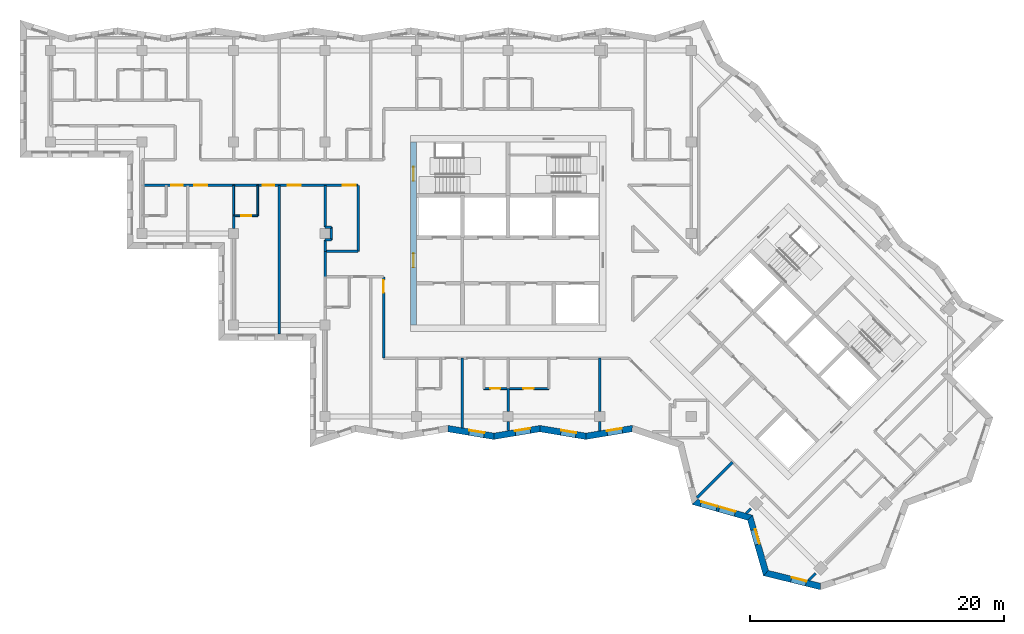
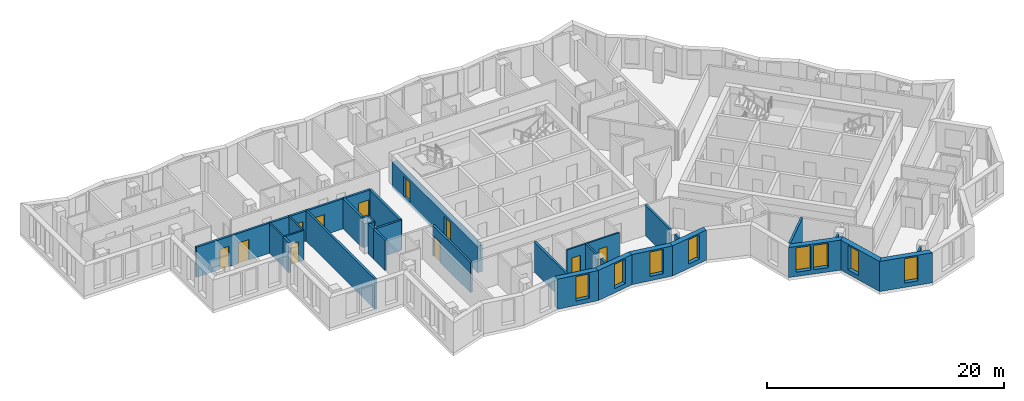
# One storey, part 3 of 13: 32 walls, 11 doors, 8 windows, 19 openings.
"""IFC4 building model written with IfcOpenShell, lengths in metres."""

import ifcopenshell
import ifcopenshell.guid

model = None  # the IFC model being written
_history = None  # IfcOwnerHistory: only IFC2X3 demands one
_inside = {}  # id of a spatial element -> (the spatial element, [elements in it])
_under = {}  # id of a project, library or spatial element -> (it, [spatial elements below it])
_declared = {}  # id of a project -> (the project, [libraries it declares])
_typed = {}  # id of a type object -> (the type object, [elements of that type])
_made_of = {}  # id of a material, layer set ... -> (it, [elements and type objects made of it])


def new_model(schema):
    """Start an empty IFC model of exactly this schema.

    Asked for "IFC4X3", IfcOpenShell would pick the latest addendum, in which some entities
    have other attributes; the version numbers below select the first issue.
    IFC2X3 requires an IfcOwnerHistory on every rooted entity: one is made here for all.
    """
    global model, _history
    if schema == "IFC4X3":
        model = ifcopenshell.file(schema_version=(4, 3, 0, 0))
    else:
        model = ifcopenshell.file(schema=schema)
    _inside.clear()
    _under.clear()
    _declared.clear()
    _typed.clear()
    _made_of.clear()
    _history = None
    if model.schema == "IFC2X3":
        org = make("IfcOrganization", Name="unknown")
        user = make(
            "IfcPersonAndOrganization",
            ThePerson=make("IfcPerson", FamilyName="unknown"),
            TheOrganization=org,
        )
        app = make(
            "IfcApplication",
            ApplicationDeveloper=org,
            Version="unknown",
            ApplicationFullName="unknown",
            ApplicationIdentifier="unknown",
        )
        _history = make(
            "IfcOwnerHistory",
            OwningUser=user,
            OwningApplication=app,
            ChangeAction="ADDED",
            CreationDate=0,
        )
    return model


def make(cls, **values):
    """One entity of the class cls with the attributes given. An attribute that is None is left unset."""
    return model.create_entity(
        cls, **{name: value for name, value in values.items() if value is not None}
    )


def rooted(cls, **values):
    """An entity with a GlobalId (a new one), such as an element, a storey or a relation."""
    return make(cls, GlobalId=ifcopenshell.guid.new(), OwnerHistory=_history, **values)


def si_unit(unit_type, name, prefix=None):
    """IfcSIUnit, for example si_unit("LENGTHUNIT", "METRE", prefix="MILLI")."""
    return make("IfcSIUnit", UnitType=unit_type, Prefix=prefix, Name=name)


def assignment(units):
    """IfcUnitAssignment: the units of a project."""
    return None if units is None else make("IfcUnitAssignment", Units=units)


def point(xyz):
    """IfcCartesianPoint."""
    return None if xyz is None else make("IfcCartesianPoint", Coordinates=xyz)


def direction(xyz):
    """IfcDirection."""
    return None if xyz is None else make("IfcDirection", DirectionRatios=xyz)


def frame(location, z_axis=None, x_axis=None):
    """IfcAxis2Placement3D, a coordinate frame: its origin and axes. An axis left out is left unset."""
    return make(
        "IfcAxis2Placement3D",
        Location=point(location),
        Axis=direction(z_axis),
        RefDirection=direction(x_axis),
    )


def frame_2d(location, x_axis=None):
    """IfcAxis2Placement2D, a coordinate frame in the plane: its origin and x axis."""
    return make(
        "IfcAxis2Placement2D", Location=point(location), RefDirection=direction(x_axis)
    )


def origin():
    """The frame at (0, 0, 0) with its axes left unset."""
    return frame((0.0, 0.0, 0.0))


def place(relative_to, where):
    """IfcLocalPlacement: puts the frame where relative to a parent placement (None: the world)."""
    return make(
        "IfcLocalPlacement", PlacementRelTo=relative_to, RelativePlacement=where
    )


def context(
    kind, dimensions, precision=None, world=None, true_north=None, identifier=None
):
    """IfcGeometricRepresentationContext, for example the 3D "Model" context."""
    return make(
        "IfcGeometricRepresentationContext",
        ContextIdentifier=identifier,
        ContextType=kind,
        CoordinateSpaceDimension=dimensions,
        Precision=precision,
        WorldCoordinateSystem=world,
        TrueNorth=true_north,
    )


def subcontext(parent, identifier, kind, view, scale=None):
    """IfcGeometricRepresentationSubContext, for example "Body" below "Model"."""
    return make(
        "IfcGeometricRepresentationSubContext",
        ContextIdentifier=identifier,
        ContextType=kind,
        ParentContext=parent,
        TargetScale=scale,
        TargetView=view,
    )


def project(units=None, contexts=None):
    """IfcProject with its units and contexts."""
    return rooted(
        "IfcProject",
        Name="project",
        RepresentationContexts=contexts,
        UnitsInContext=assignment(units),
    )


def spatial(cls, under=None, at=None, **own):
    """A site, building, storey or space (cls), placed at a placement, below another one or the project."""
    s = rooted(cls, ObjectPlacement=at, **own)
    if under is not None:
        _under.setdefault(under.id(), (under, []))[1].append(s)
    return s


def polyline(points):
    """IfcPolyline through the points."""
    return make("IfcPolyline", Points=[point(p) for p in points])


def profile(cls, at=None, kind="AREA", **sizes):
    """A parametric profile (cls). Its sizes go by their IFC names, for example OverallWidth=200.0."""
    return make(cls, ProfileType=kind, Position=at, **sizes)


def rectangle(**sizes):
    """IfcRectangleProfileDef."""
    return profile("IfcRectangleProfileDef", **sizes)


def outline(outer, holes=None, kind="AREA"):
    """IfcArbitraryClosedProfileDef: a profile drawn as a closed curve; with holes, ...WithVoids."""
    if holes is None:
        return make("IfcArbitraryClosedProfileDef", ProfileType=kind, OuterCurve=outer)
    return make(
        "IfcArbitraryProfileDefWithVoids",
        ProfileType=kind,
        OuterCurve=outer,
        InnerCurves=holes,
    )


def extrude(swept, where, along, depth):
    """IfcExtrudedAreaSolid: the profile swept, set in the frame where, extruded along a direction by depth."""
    return make(
        "IfcExtrudedAreaSolid",
        SweptArea=swept,
        Position=where,
        ExtrudedDirection=direction(along),
        Depth=depth,
    )


def shape(context_of_items, identifier, shape_type, items):
    """IfcShapeRepresentation: the items that make up one representation, for example the "Body"."""
    return make(
        "IfcShapeRepresentation",
        ContextOfItems=context_of_items,
        RepresentationIdentifier=identifier,
        RepresentationType=shape_type,
        Items=items,
    )


def material(Name=None, Category=None):
    """IfcMaterial."""
    return make("IfcMaterial", Name=Name, Category=Category)


def layer(
    of_material, thickness, ventilated=None, Name=None, Category=None, Priority=None
):
    """IfcMaterialLayer: one layer of a wall or slab, of a material (None: an air gap)."""
    return make(
        "IfcMaterialLayer",
        Material=of_material,
        LayerThickness=thickness,
        IsVentilated=ventilated,
        Name=Name,
        Category=Category,
        Priority=Priority,
    )


def layer_set(layers, Name=None):
    """IfcMaterialLayerSet."""
    return make("IfcMaterialLayerSet", MaterialLayers=layers, LayerSetName=Name)


def made_of(thing, what):
    """Note that an element or type object is made of a material, layer set ...; save() writes the relation."""
    if what is not None:
        _made_of.setdefault(what.id(), (what, []))[1].append(thing)
    return thing


def type_object(cls, material=None, **own):
    """A type object (cls), such as IfcWallType, which elements share."""
    return made_of(rooted(cls, **own), material)


def element(
    cls,
    number,
    at=None,
    inside=None,
    cuts=None,
    type_object=None,
    material=None,
    context=None,
    identifier="Body",
    shape_type=None,
    held_by="IfcProductDefinitionShape",
    body=None,
    shapes=None,
    **own,
):
    """One element of the class cls, such as IfcWall. Its Tag is "e" and its number.

    at: its placement. inside: the storey or other place that contains it. cuts: it is an
    opening in that element (IfcRelVoidsElement). A single representation is given by context,
    identifier, shape_type and body (its items); several are given by shapes. held_by: the class
    of the entity that holds the representations. save() writes the other relations.
    """
    e = rooted(cls, Tag="e%d" % number, ObjectPlacement=at, **own)
    if body is not None:
        shapes = [shape(context, identifier, shape_type, body)]
    if shapes is not None:
        e.Representation = make(held_by, Representations=shapes)
    if inside is not None:
        _inside.setdefault(inside.id(), (inside, []))[1].append(e)
    if cuts is not None:
        rooted(
            "IfcRelVoidsElement", RelatingBuildingElement=cuts, RelatedOpeningElement=e
        )
    if type_object is not None:
        _typed.setdefault(type_object.id(), (type_object, []))[1].append(e)
    return made_of(e, material)


def fill(opening, filler):
    """IfcRelFillsElement: the door or window that sits in an opening."""
    return rooted(
        "IfcRelFillsElement",
        RelatingOpeningElement=opening,
        RelatedBuildingElement=filler,
    )


def aggregate(whole, parts):
    """IfcRelAggregates: a whole, such as a stair, and the parts it consists of."""
    return rooted("IfcRelAggregates", RelatingObject=whole, RelatedObjects=parts)


def save(model, path):
    """Write the relations noted so far, then the file.

    IfcRelAggregates (storeys below a building ...), IfcRelContainedInSpatialStructure (elements
    in a storey), IfcRelDefinesByType, IfcRelAssociatesMaterial and IfcRelDeclares: one each for
    every whole, place, type object, material and project.
    """
    for whole, parts in _under.values():
        aggregate(whole, parts)
    for where, things in _inside.values():
        rooted(
            "IfcRelContainedInSpatialStructure",
            RelatedElements=things,
            RelatingStructure=where,
        )
    for kind, things in _typed.values():
        rooted("IfcRelDefinesByType", RelatedObjects=things, RelatingType=kind)
    for what, things in _made_of.values():
        rooted("IfcRelAssociatesMaterial", RelatedObjects=things, RelatingMaterial=what)
    for by, libraries in _declared.values():
        rooted("IfcRelDeclares", RelatingContext=by, RelatedDefinitions=libraries)
    model.write(path)


model = new_model("IFC4")

# Units and contexts
model_context = context("Model", 3, precision=1e-05, world=origin(), true_north=direction((0.0, 1.0)))
body_context = subcontext(model_context, "Body", "Model", "MODEL_VIEW")
ifc_project = project(units=[si_unit("LENGTHUNIT", "METRE"), si_unit("AREAUNIT", "SQUARE_METRE"), si_unit("VOLUMEUNIT", "CUBIC_METRE"), si_unit("PLANEANGLEUNIT", "RADIAN"), si_unit("MASSUNIT", "GRAM", prefix="KILO")], contexts=[model_context])

# Site, building, storey
site_placement = place(None, origin())
site = spatial("IfcSite", under=ifc_project, at=site_placement, CompositionType="ELEMENT")
building_placement = place(site_placement, origin())
building = spatial("IfcBuilding", under=site, at=building_placement, Name="Windrow Commons", CompositionType="ELEMENT")
storey_placement = place(building_placement, frame((0.0, 0.0, 223.6)))
storey = spatial("IfcBuildingStorey", under=building, at=storey_placement, Name="L61", CompositionType="ELEMENT", Elevation=223.6)

# Wall, opening, window
ifc_material_1 = material(Name="Brick masonry, red clay brick", Category="masonry")
ifc_layer_1 = layer(ifc_material_1, 0.5)
ifc_layer_set_1 = layer_set([ifc_layer_1], Name="Brick facade wall 500")
wall_type_1 = type_object("IfcWallType", Name="Brick facade wall 500", PredefinedType="SOLIDWALL", material=ifc_layer_set_1)
wall_1_placement = place(storey_placement, frame((60.0596, 42.2534, 0.0), z_axis=(0.0, 0.0, 1.0), x_axis=(0.9864079133, -0.1643150285, 0.0)))
wall_1 = element("IfcWall", 1, at=wall_1_placement, inside=storey, type_object=wall_type_1, Name="Brick facade wall L61 41", PredefinedType="SOLIDWALL", context=body_context, shape_type="SweptSolid", body=[
    extrude(outline(polyline([(0.0416, -0.25), (3.7114, -0.25), (3.6281, 0.25), (-0.0416, 0.25), (0.0416, -0.25)])), origin(), (0.0, 0.0, 1.0), 3.1),
])
opening_1_placement = place(wall_1_placement, frame((1.6921, 0.0, 0.45)))
opening_1 = element("IfcOpeningElement", 2, at=opening_1_placement, cuts=wall_1, Name="Opening W7E", PredefinedType="OPENING", context=body_context, shape_type="SweptSolid", body=[
    extrude(rectangle(XDim=1.2, YDim=2.5, at=frame_2d((0.6, 1.25))), frame((0.0, 0.26, 0.0), z_axis=(0.0, -1.0, 0.0), x_axis=(1.0, 0.0, 0.0)), (0.0, 0.0, 1.0), 0.52),
])
ifc_material_2 = material(Name="Clear float glass in anodised aluminium frame", Category="aluminium")
window_type_1 = type_object("IfcWindowType", Name="Window W7 notch 1200x2500", PartitioningType="SINGLE_PANEL", PredefinedType="WINDOW", material=ifc_material_2)
window_1_placement = place(opening_1_placement, origin())
window_1 = element("IfcWindow", 3, at=window_1_placement, inside=storey, type_object=window_type_1, Name="Window L61 41.1", OverallHeight=2.5, OverallWidth=1.2, PartitioningType="SINGLE_PANEL", PredefinedType="WINDOW", context=body_context, shape_type="SweptSolid", body=[
    extrude(rectangle(XDim=1.2, YDim=2.5, at=frame_2d((0.6, 1.25))), frame((0.0, 0.18, 0.0), z_axis=(0.0, -1.0, 0.0), x_axis=(1.0, 0.0, 0.0)), (0.0, 0.0, 1.0), 0.06),
])
fill(opening_1, window_1)

wall_2_placement = place(storey_placement, frame((63.6795, 41.6504, 0.0), z_axis=(0.0, 0.0, 1.0), x_axis=(0.9864071775, 0.1643194453, 0.0)))
wall_2 = element("IfcWall", 4, at=wall_2_placement, inside=storey, type_object=wall_type_1, Name="Brick facade wall L61 42", PredefinedType="SOLIDWALL", context=body_context, shape_type="SweptSolid", body=[
    extrude(outline(polyline([(-0.0416, -0.25), (3.6281, -0.25), (3.7114, 0.25), (0.0416, 0.25), (-0.0416, -0.25)])), origin(), (0.0, 0.0, 1.0), 3.1),
])
opening_2_placement = place(wall_2_placement, frame((1.7029, 0.0, 0.45)))
opening_2 = element("IfcOpeningElement", 5, at=opening_2_placement, cuts=wall_2, Name="Opening W7E", PredefinedType="OPENING", context=body_context, shape_type="SweptSolid", body=[
    extrude(rectangle(XDim=1.2, YDim=2.5, at=frame_2d((0.6, 1.25))), frame((0.0, 0.26, 0.0), z_axis=(0.0, -1.0, 0.0), x_axis=(1.0, 0.0, 0.0)), (0.0, 0.0, 1.0), 0.52),
])
window_2_placement = place(opening_2_placement, origin())
window_2 = element("IfcWindow", 6, at=window_2_placement, inside=storey, type_object=window_type_1, Name="Window L61 42.1", OverallHeight=2.5, OverallWidth=1.2, PartitioningType="SINGLE_PANEL", PredefinedType="WINDOW", context=body_context, shape_type="SweptSolid", body=[
    extrude(rectangle(XDim=1.2, YDim=2.5, at=frame_2d((0.6, 1.25))), frame((0.0, 0.18, 0.0), z_axis=(0.0, -1.0, 0.0), x_axis=(1.0, 0.0, 0.0)), (0.0, 0.0, 1.0), 0.06),
])
fill(opening_2, window_2)

wall_3_placement = place(storey_placement, frame((67.2993, 42.2534, 0.0), z_axis=(0.0, 0.0, 1.0), x_axis=(0.9864079133, -0.1643150285, 0.0)))
wall_3 = element("IfcWall", 7, at=wall_3_placement, inside=storey, type_object=wall_type_1, Name="Brick facade wall L61 43", PredefinedType="SOLIDWALL", context=body_context, shape_type="SweptSolid", body=[
    extrude(outline(polyline([(0.0416, -0.25), (3.7114, -0.25), (3.6281, 0.25), (-0.0416, 0.25), (0.0416, -0.25)])), origin(), (0.0, 0.0, 1.0), 3.1),
])
opening_3_placement = place(wall_3_placement, frame((1.672, 0.0, 0.45)))
opening_3 = element("IfcOpeningElement", 8, at=opening_3_placement, cuts=wall_3, Name="Opening W7E", PredefinedType="OPENING", context=body_context, shape_type="SweptSolid", body=[
    extrude(rectangle(XDim=1.2, YDim=2.5, at=frame_2d((0.6, 1.25))), frame((0.0, 0.26, 0.0), z_axis=(0.0, -1.0, 0.0), x_axis=(1.0, 0.0, 0.0)), (0.0, 0.0, 1.0), 0.52),
])
window_3_placement = place(opening_3_placement, origin())
window_3 = element("IfcWindow", 9, at=window_3_placement, inside=storey, type_object=window_type_1, Name="Window L61 43.1", OverallHeight=2.5, OverallWidth=1.2, PartitioningType="SINGLE_PANEL", PredefinedType="WINDOW", context=body_context, shape_type="SweptSolid", body=[
    extrude(rectangle(XDim=1.2, YDim=2.5, at=frame_2d((0.6, 1.25))), frame((0.0, 0.18, 0.0), z_axis=(0.0, -1.0, 0.0), x_axis=(1.0, 0.0, 0.0)), (0.0, 0.0, 1.0), 0.06),
])
fill(opening_3, window_3)

wall_4_placement = place(storey_placement, frame((70.9192, 41.6504, 0.0), z_axis=(0.0, 0.0, 1.0), x_axis=(0.986404908, 0.1643330686, 0.0)))
wall_4 = element("IfcWall", 10, at=wall_4_placement, inside=storey, type_object=wall_type_1, Name="Brick facade wall L61 44", PredefinedType="SOLIDWALL", context=body_context, shape_type="SweptSolid", body=[
    extrude(outline(polyline([(-0.0416, -0.25), (3.6281, -0.25), (3.752, 0.25), (0.0416, 0.25), (-0.0416, -0.25)])), origin(), (0.0, 0.0, 1.0), 3.1),
])
opening_4_placement = place(wall_4_placement, frame((1.6929, 0.0, 0.45)))
opening_4 = element("IfcOpeningElement", 11, at=opening_4_placement, cuts=wall_4, Name="Opening W7E", PredefinedType="OPENING", context=body_context, shape_type="SweptSolid", body=[
    extrude(rectangle(XDim=1.2, YDim=2.5, at=frame_2d((0.6, 1.25))), frame((0.0, 0.26, 0.0), z_axis=(0.0, -1.0, 0.0), x_axis=(1.0, 0.0, 0.0)), (0.0, 0.0, 1.0), 0.52),
])
window_4_placement = place(opening_4_placement, origin())
window_4 = element("IfcWindow", 12, at=window_4_placement, inside=storey, type_object=window_type_1, Name="Window L61 44.1", OverallHeight=2.5, OverallWidth=1.2, PartitioningType="SINGLE_PANEL", PredefinedType="WINDOW", context=body_context, shape_type="SweptSolid", body=[
    extrude(rectangle(XDim=1.2, YDim=2.5, at=frame_2d((0.6, 1.25))), frame((0.0, 0.18, 0.0), z_axis=(0.0, -1.0, 0.0), x_axis=(1.0, 0.0, 0.0)), (0.0, 0.0, 1.0), 0.06),
])
fill(opening_4, window_4)

# Wall, openings, windows
wall_5_placement = place(storey_placement, frame((79.4758, 36.4945, 0.0), z_axis=(0.0, 0.0, 1.0), x_axis=(0.9612862254, -0.2755517971, 0.0)))
wall_5 = element("IfcWall", 13, at=wall_5_placement, inside=storey, type_object=wall_type_1, Name="Brick facade wall L61 47", PredefinedType="SOLIDWALL", context=body_context, shape_type="SweptSolid", body=[
    extrude(outline(polyline([(-0.1448, -0.25), (4.3923, -0.25), (4.6695, 0.25), (0.1448, 0.25), (-0.1448, -0.25)])), origin(), (0.0, 0.0, 1.0), 3.1),
])
opening_5_placement = place(wall_5_placement, frame((0.5015, 0.0, 0.45)))
opening_5 = element("IfcOpeningElement", 14, at=opening_5_placement, cuts=wall_5, Name="Opening W1Q", PredefinedType="OPENING", context=body_context, shape_type="SweptSolid", body=[
    extrude(rectangle(XDim=1.3, YDim=2.5, at=frame_2d((0.65, 1.25))), frame((0.0, 0.26, 0.0), z_axis=(0.0, -1.0, 0.0), x_axis=(1.0, 0.0, 0.0)), (0.0, 0.0, 1.0), 0.52),
])
opening_6_placement = place(wall_5_placement, frame((2.0015, 0.0, 0.45)))
opening_6 = element("IfcOpeningElement", 15, at=opening_6_placement, cuts=wall_5, Name="Opening W1Q", PredefinedType="OPENING", context=body_context, shape_type="SweptSolid", body=[
    extrude(rectangle(XDim=1.3, YDim=2.5, at=frame_2d((0.65, 1.25))), frame((0.0, 0.26, 0.0), z_axis=(0.0, -1.0, 0.0), x_axis=(1.0, 0.0, 0.0)), (0.0, 0.0, 1.0), 0.52),
])
ifc_material_3 = material(Name="Clear float glass in anodised aluminium frame", Category="aluminium")
window_type_2 = type_object("IfcWindowType", Name="Window W1Q pair 1300x2500", PartitioningType="SINGLE_PANEL", PredefinedType="WINDOW", material=ifc_material_3)
window_5_placement = place(opening_5_placement, origin())
window_5 = element("IfcWindow", 16, at=window_5_placement, inside=storey, type_object=window_type_2, Name="Window L61 47.1A", OverallHeight=2.5, OverallWidth=1.3, PartitioningType="SINGLE_PANEL", PredefinedType="WINDOW", context=body_context, shape_type="SweptSolid", body=[
    extrude(rectangle(XDim=1.3, YDim=2.5, at=frame_2d((0.65, 1.25))), frame((0.0, 0.18, 0.0), z_axis=(0.0, -1.0, 0.0), x_axis=(1.0, 0.0, 0.0)), (0.0, 0.0, 1.0), 0.06),
])
fill(opening_5, window_5)
window_6_placement = place(opening_6_placement, origin())
window_6 = element("IfcWindow", 17, at=window_6_placement, inside=storey, type_object=window_type_2, Name="Window L61 47.1B", OverallHeight=2.5, OverallWidth=1.3, PartitioningType="SINGLE_PANEL", PredefinedType="WINDOW", context=body_context, shape_type="SweptSolid", body=[
    extrude(rectangle(XDim=1.3, YDim=2.5, at=frame_2d((0.65, 1.25))), frame((0.0, 0.18, 0.0), z_axis=(0.0, -1.0, 0.0), x_axis=(1.0, 0.0, 0.0)), (0.0, 0.0, 1.0), 0.06),
])
fill(opening_6, window_6)

# Wall, opening, window
wall_6_placement = place(storey_placement, frame((83.8313, 35.246, 0.0), z_axis=(0.0, 0.0, 1.0), x_axis=(0.2755517971, -0.9612862254, 0.0)))
wall_6 = element("IfcWall", 18, at=wall_6_placement, inside=storey, type_object=wall_type_1, Name="Brick facade wall L61 48", PredefinedType="SOLIDWALL", context=body_context, shape_type="SweptSolid", body=[
    extrude(outline(polyline([(0.1386, -0.25), (4.6757, -0.25), (4.3861, 0.25), (-0.1386, 0.25), (0.1386, -0.25)])), origin(), (0.0, 0.0, 1.0), 3.1),
])
opening_7_placement = place(wall_6_placement, frame((0.9803, 0.0, 0.45)))
opening_7 = element("IfcOpeningElement", 19, at=opening_7_placement, cuts=wall_6, Name="Opening W7E", PredefinedType="OPENING", context=body_context, shape_type="SweptSolid", body=[
    extrude(rectangle(XDim=1.2, YDim=2.5, at=frame_2d((0.6, 1.25))), frame((0.0, 0.26, 0.0), z_axis=(0.0, -1.0, 0.0), x_axis=(1.0, 0.0, 0.0)), (0.0, 0.0, 1.0), 0.52),
])
window_7_placement = place(opening_7_placement, origin())
window_7 = element("IfcWindow", 20, at=window_7_placement, inside=storey, type_object=window_type_1, Name="Window L61 48.1", OverallHeight=2.5, OverallWidth=1.2, PartitioningType="SINGLE_PANEL", PredefinedType="WINDOW", context=body_context, shape_type="SweptSolid", body=[
    extrude(rectangle(XDim=1.2, YDim=2.5, at=frame_2d((0.6, 1.25))), frame((0.0, 0.18, 0.0), z_axis=(0.0, -1.0, 0.0), x_axis=(1.0, 0.0, 0.0)), (0.0, 0.0, 1.0), 0.06),
])
fill(opening_7, window_7)

wall_7_placement = place(storey_placement, frame((85.0798, 30.8905, 0.0), z_axis=(0.0, 0.0, 1.0), x_axis=(0.9709947618, -0.2391007581, 0.0)))
wall_7 = element("IfcWall", 21, at=wall_7_placement, inside=storey, type_object=wall_type_1, Name="Brick facade wall L61 49", PredefinedType="SOLIDWALL", context=body_context, shape_type="SweptSolid", body=[
    extrude(outline(polyline([(-0.1448, -0.25), (4.4926, -0.25), (4.3479, 0.25), (0.1448, 0.25), (-0.1448, -0.25)])), origin(), (0.0, 0.0, 1.0), 3.1),
])
opening_8_placement = place(wall_7_placement, frame((2.0538, 0.0, 0.45)))
opening_8 = element("IfcOpeningElement", 22, at=opening_8_placement, cuts=wall_7, Name="Opening W7E", PredefinedType="OPENING", context=body_context, shape_type="SweptSolid", body=[
    extrude(rectangle(XDim=1.2, YDim=2.5, at=frame_2d((0.6, 1.25))), frame((0.0, 0.26, 0.0), z_axis=(0.0, -1.0, 0.0), x_axis=(1.0, 0.0, 0.0)), (0.0, 0.0, 1.0), 0.52),
])
window_8_placement = place(opening_8_placement, origin())
window_8 = element("IfcWindow", 23, at=window_8_placement, inside=storey, type_object=window_type_1, Name="Window L61 49.1", OverallHeight=2.5, OverallWidth=1.2, PartitioningType="SINGLE_PANEL", PredefinedType="WINDOW", context=body_context, shape_type="SweptSolid", body=[
    extrude(rectangle(XDim=1.2, YDim=2.5, at=frame_2d((0.6, 1.25))), frame((0.0, 0.18, 0.0), z_axis=(0.0, -1.0, 0.0), x_axis=(1.0, 0.0, 0.0)), (0.0, 0.0, 1.0), 0.06),
])
fill(opening_8, window_8)

# Wall, openings, doors
ifc_material_4 = material(Name="Blockwork partition", Category="masonry")
ifc_layer_2 = layer(ifc_material_4, 0.2)
ifc_layer_set_2 = layer_set([ifc_layer_2], Name="IW-CORRIDOR-200")
wall_type_2 = type_object("IfcWallType", Name="IW-CORRIDOR-200", PredefinedType="PARTITIONING", material=ifc_layer_set_2)
wall_8_placement = place(storey_placement, frame((36.0, 61.4, 0.0), z_axis=(0.0, 0.0, 1.0), x_axis=(1.0, 0.0, 0.0)))
wall_8 = element("IfcWall", 24, at=wall_8_placement, inside=storey, type_object=wall_type_2, Name="W-L61-W002", PredefinedType="PARTITIONING", context=body_context, shape_type="SweptSolid", body=[
    extrude(rectangle(XDim=17.0, YDim=0.2, at=frame_2d((8.5, 0.0))), origin(), (0.0, 0.0, 1.0), 3.1),
])
opening_9_placement = place(wall_8_placement, frame((2.3, 0.0, 0.0)))
opening_9 = element("IfcOpeningElement", 25, at=opening_9_placement, cuts=wall_8, Name="Opening D109S", PredefinedType="OPENING", context=body_context, shape_type="SweptSolid", body=[
    extrude(rectangle(XDim=0.9, YDim=2.1, at=frame_2d((0.45, 1.05))), frame((0.0, 0.11, 0.0), z_axis=(0.0, -1.0, 0.0), x_axis=(1.0, 0.0, 0.0)), (0.0, 0.0, 1.0), 0.22),
])
opening_10_placement = place(wall_8_placement, frame((4.125, 0.0, 0.0)))
opening_10 = element("IfcOpeningElement", 26, at=opening_10_placement, cuts=wall_8, Name="Opening D310F", PredefinedType="OPENING", context=body_context, shape_type="SweptSolid", body=[
    extrude(rectangle(XDim=1.0, YDim=2.1, at=frame_2d((0.5, 1.05))), frame((0.0, 0.11, 0.0), z_axis=(0.0, -1.0, 0.0), x_axis=(1.0, 0.0, 0.0)), (0.0, 0.0, 1.0), 0.22),
])
opening_11_placement = place(wall_8_placement, frame((9.5, 0.0, 0.0)))
opening_11 = element("IfcOpeningElement", 27, at=opening_11_placement, cuts=wall_8, Name="Opening D109S", PredefinedType="OPENING", context=body_context, shape_type="SweptSolid", body=[
    extrude(rectangle(XDim=0.9, YDim=2.1, at=frame_2d((0.45, 1.05))), frame((0.0, 0.11, 0.0), z_axis=(0.0, -1.0, 0.0), x_axis=(1.0, 0.0, 0.0)), (0.0, 0.0, 1.0), 0.22),
])
opening_12_placement = place(wall_8_placement, frame((11.48, 0.0, 0.0)))
opening_12 = element("IfcOpeningElement", 28, at=opening_12_placement, cuts=wall_8, Name="Opening D310F", PredefinedType="OPENING", context=body_context, shape_type="SweptSolid", body=[
    extrude(rectangle(XDim=1.0, YDim=2.1, at=frame_2d((0.5, 1.05))), frame((0.0, 0.11, 0.0), z_axis=(0.0, -1.0, 0.0), x_axis=(1.0, 0.0, 0.0)), (0.0, 0.0, 1.0), 0.22),
])
opening_13_placement = place(wall_8_placement, frame((15.805, 0.0, 0.0)))
opening_13 = element("IfcOpeningElement", 29, at=opening_13_placement, cuts=wall_8, Name="Opening D410F", PredefinedType="OPENING", context=body_context, shape_type="SweptSolid", body=[
    extrude(rectangle(XDim=1.0, YDim=2.1, at=frame_2d((0.5, 1.05))), frame((0.0, 0.11, 0.0), z_axis=(0.0, -1.0, 0.0), x_axis=(1.0, 0.0, 0.0)), (0.0, 0.0, 1.0), 0.22),
])
ifc_material_5 = material(Name="Timber door leaf", Category="wood")
door_type_1 = type_object("IfcDoorType", Name="DT-AMENITY-1000", OperationType="SINGLE_SWING_LEFT", PredefinedType="DOOR", material=ifc_material_5)
door_1_placement = place(opening_10_placement, origin())
door_1 = element("IfcDoor", 30, at=door_1_placement, inside=storey, type_object=door_type_1, Name="D-L61-D011", OperationType="SINGLE_SWING_RIGHT", OverallHeight=2.1, OverallWidth=1.0, PredefinedType="DOOR", context=body_context, shape_type="SweptSolid", body=[
    extrude(rectangle(XDim=1.0, YDim=2.1, at=frame_2d((0.5, 1.05))), frame((0.0, 0.025, 0.0), z_axis=(0.0, -1.0, 0.0), x_axis=(1.0, 0.0, 0.0)), (0.0, 0.0, 1.0), 0.05),
])
fill(opening_10, door_1)
door_2_placement = place(opening_12_placement, origin())
door_2 = element("IfcDoor", 31, at=door_2_placement, inside=storey, type_object=door_type_1, Name="D-L61-D025", OperationType="SINGLE_SWING_RIGHT", OverallHeight=2.1, OverallWidth=1.0, PredefinedType="DOOR", context=body_context, shape_type="SweptSolid", body=[
    extrude(rectangle(XDim=1.0, YDim=2.1, at=frame_2d((0.5, 1.05))), frame((0.0, 0.025, 0.0), z_axis=(0.0, -1.0, 0.0), x_axis=(1.0, 0.0, 0.0)), (0.0, 0.0, 1.0), 0.05),
])
fill(opening_12, door_2)
ifc_material_6 = material(Name="Timber door leaf", Category="wood")
door_type_2 = type_object("IfcDoorType", Name="DT-BEDROOM-900", OperationType="SINGLE_SWING_LEFT", PredefinedType="DOOR", material=ifc_material_6)
door_3_placement = place(opening_9_placement, origin())
door_3 = element("IfcDoor", 32, at=door_3_placement, inside=storey, type_object=door_type_2, Name="D-L61-D009", OperationType="SINGLE_SWING_LEFT", OverallHeight=2.1, OverallWidth=0.9, PredefinedType="DOOR", context=body_context, shape_type="SweptSolid", body=[
    extrude(rectangle(XDim=0.9, YDim=2.1, at=frame_2d((0.45, 1.05))), frame((0.0, 0.025, 0.0), z_axis=(0.0, -1.0, 0.0), x_axis=(1.0, 0.0, 0.0)), (0.0, 0.0, 1.0), 0.05),
])
fill(opening_9, door_3)
door_4_placement = place(opening_11_placement, origin())
door_4 = element("IfcDoor", 33, at=door_4_placement, inside=storey, type_object=door_type_2, Name="D-L61-D012", OperationType="SINGLE_SWING_LEFT", OverallHeight=2.1, OverallWidth=0.9, PredefinedType="DOOR", context=body_context, shape_type="SweptSolid", body=[
    extrude(rectangle(XDim=0.9, YDim=2.1, at=frame_2d((0.45, 1.05))), frame((0.0, 0.025, 0.0), z_axis=(0.0, -1.0, 0.0), x_axis=(1.0, 0.0, 0.0)), (0.0, 0.0, 1.0), 0.05),
])
fill(opening_11, door_4)
ifc_material_7 = material(Name="Timber door leaf", Category="wood")
door_type_3 = type_object("IfcDoorType", Name="DT-SERVICE-1000", OperationType="SINGLE_SWING_LEFT", PredefinedType="DOOR", material=ifc_material_7)
door_5_placement = place(opening_13_placement, origin())
door_5 = element("IfcDoor", 34, at=door_5_placement, inside=storey, type_object=door_type_3, Name="D-L61-D029", OperationType="SINGLE_SWING_LEFT", OverallHeight=2.1, OverallWidth=1.0, PredefinedType="DOOR", context=body_context, shape_type="SweptSolid", body=[
    extrude(rectangle(XDim=1.0, YDim=2.1, at=frame_2d((0.5, 1.05))), frame((0.0, 0.025, 0.0), z_axis=(0.0, -1.0, 0.0), x_axis=(1.0, 0.0, 0.0)), (0.0, 0.0, 1.0), 0.05),
])
fill(opening_13, door_5)

# Wall, opening, door
wall_9_placement = place(storey_placement, frame((55.0, 47.8, 0.0), z_axis=(0.0, 0.0, 1.0), x_axis=(0.0, 1.0, 0.0)))
wall_9 = element("IfcWall", 35, at=wall_9_placement, inside=storey, type_object=wall_type_2, Name="W-L61-W020", PredefinedType="PARTITIONING", context=body_context, shape_type="SweptSolid", body=[
    extrude(rectangle(XDim=6.4, YDim=0.2, at=frame_2d((3.2, 0.0))), origin(), (0.0, 0.0, 1.0), 3.1),
])
opening_14_placement = place(wall_9_placement, frame((5.1475, 0.0, 0.0)))
opening_14 = element("IfcOpeningElement", 36, at=opening_14_placement, cuts=wall_9, Name="Opening D310F", PredefinedType="OPENING", context=body_context, shape_type="SweptSolid", body=[
    extrude(rectangle(XDim=1.0, YDim=2.1, at=frame_2d((0.5, 1.05))), frame((0.0, 0.11, 0.0), z_axis=(0.0, -1.0, 0.0), x_axis=(1.0, 0.0, 0.0)), (0.0, 0.0, 1.0), 0.22),
])
door_6_placement = place(opening_14_placement, origin())
door_6 = element("IfcDoor", 37, at=door_6_placement, inside=storey, type_object=door_type_1, Name="D-L61-D028", OperationType="SINGLE_SWING_RIGHT", OverallHeight=2.1, OverallWidth=1.0, PredefinedType="DOOR", context=body_context, shape_type="SweptSolid", body=[
    extrude(rectangle(XDim=1.0, YDim=2.1, at=frame_2d((0.5, 1.05))), frame((0.0, 0.025, 0.0), z_axis=(0.0, -1.0, 0.0), x_axis=(1.0, 0.0, 0.0)), (0.0, 0.0, 1.0), 0.05),
])
fill(opening_14, door_6)

# Walls
wall_10_placement = place(storey_placement, frame((53.0, 56.202, 0.0), z_axis=(0.0, 0.0, 1.0), x_axis=(0.0, 1.0, 0.0)))
element("IfcWall", 38, at=wall_10_placement, inside=storey, type_object=wall_type_2, Name="W-L61-W029", PredefinedType="PARTITIONING", context=body_context, shape_type="SweptSolid", body=[
    extrude(rectangle(XDim=5.198, YDim=0.2, at=frame_2d((2.599, 0.0))), origin(), (0.0, 0.0, 1.0), 3.1),
])
wall_11_placement = place(storey_placement, frame((50.4, 56.2, 0.0), z_axis=(0.0, 0.0, 1.0), x_axis=(1.0, 0.0, 0.0)))
element("IfcWall", 39, at=wall_11_placement, inside=storey, type_object=wall_type_2, Name="W-L61-W066", PredefinedType="PARTITIONING", context=body_context, shape_type="SweptSolid", body=[
    extrude(rectangle(XDim=2.6, YDim=0.2, at=frame_2d((1.3, 0.0))), origin(), (0.0, 0.0, 1.0), 3.1),
])
wall_12_placement = place(storey_placement, frame((50.4, 54.2, 0.0), z_axis=(0.0, 0.0, 1.0), x_axis=(0.0, 1.0, 0.0)))
element("IfcWall", 40, at=wall_12_placement, inside=storey, type_object=wall_type_2, Name="W-L61-W108", PredefinedType="PARTITIONING", context=body_context, shape_type="SweptSolid", body=[
    extrude(rectangle(XDim=2.0, YDim=0.2, at=frame_2d((1.0, 0.0))), origin(), (0.0, 0.0, 1.0), 3.1),
])

# Wall, openings, doors
ifc_material_8 = material(Name="Blockwork partition", Category="masonry")
ifc_layer_3 = layer(ifc_material_8, 0.15)
ifc_layer_set_3 = layer_set([ifc_layer_3], Name="IW-ENSUITE-150")
wall_type_3 = type_object("IfcWallType", Name="IW-ENSUITE-150", PredefinedType="PARTITIONING", material=ifc_layer_set_3)
wall_13_placement = place(storey_placement, frame((62.9, 45.4, 0.0), z_axis=(0.0, 0.0, 1.0), x_axis=(1.0, 0.0, 0.0)))
wall_13 = element("IfcWall", 41, at=wall_13_placement, inside=storey, type_object=wall_type_3, Name="W-L61-W030", PredefinedType="PARTITIONING", context=body_context, shape_type="SweptSolid", body=[
    extrude(rectangle(XDim=5.1, YDim=0.15, at=frame_2d((2.55, 0.0))), origin(), (0.0, 0.0, 1.0), 3.1),
])
opening_15_placement = place(wall_13_placement, frame((0.4931, 0.0, 0.0)))
opening_15 = element("IfcOpeningElement", 42, at=opening_15_placement, cuts=wall_13, Name="Opening D208N", PredefinedType="OPENING", context=body_context, shape_type="SweptSolid", body=[
    extrude(rectangle(XDim=0.8, YDim=2.1, at=frame_2d((0.4, 1.05))), frame((0.0, 0.085, 0.0), z_axis=(0.0, -1.0, 0.0), x_axis=(1.0, 0.0, 0.0)), (0.0, 0.0, 1.0), 0.17),
])
opening_16_placement = place(wall_13_placement, frame((3.0958, 0.0, 0.0)))
opening_16 = element("IfcOpeningElement", 43, at=opening_16_placement, cuts=wall_13, Name="Opening D208N", PredefinedType="OPENING", context=body_context, shape_type="SweptSolid", body=[
    extrude(rectangle(XDim=0.8, YDim=2.1, at=frame_2d((0.4, 1.05))), frame((0.0, 0.085, 0.0), z_axis=(0.0, -1.0, 0.0), x_axis=(1.0, 0.0, 0.0)), (0.0, 0.0, 1.0), 0.17),
])
ifc_material_9 = material(Name="Timber door leaf", Category="wood")
door_type_4 = type_object("IfcDoorType", Name="DT-ENSUITE-800", OperationType="SINGLE_SWING_LEFT", PredefinedType="DOOR", material=ifc_material_9)
door_7_placement = place(opening_15_placement, origin())
door_7 = element("IfcDoor", 44, at=door_7_placement, inside=storey, type_object=door_type_4, Name="D-L61-D033", OperationType="SINGLE_SWING_RIGHT", OverallHeight=2.1, OverallWidth=0.8, PredefinedType="DOOR", context=body_context, shape_type="SweptSolid", body=[
    extrude(rectangle(XDim=0.8, YDim=2.1, at=frame_2d((0.4, 1.05))), frame((0.0, 0.025, 0.0), z_axis=(0.0, -1.0, 0.0), x_axis=(1.0, 0.0, 0.0)), (0.0, 0.0, 1.0), 0.05),
])
fill(opening_15, door_7)
door_8_placement = place(opening_16_placement, origin())
door_8 = element("IfcDoor", 45, at=door_8_placement, inside=storey, type_object=door_type_4, Name="D-L61-D035", OperationType="SINGLE_SWING_RIGHT", OverallHeight=2.1, OverallWidth=0.8, PredefinedType="DOOR", context=body_context, shape_type="SweptSolid", body=[
    extrude(rectangle(XDim=0.8, YDim=2.1, at=frame_2d((0.4, 1.05))), frame((0.0, 0.025, 0.0), z_axis=(0.0, -1.0, 0.0), x_axis=(1.0, 0.0, 0.0)), (0.0, 0.0, 1.0), 0.05),
])
fill(opening_16, door_8)

# Walls
for number, where, z_axis, x_axis, name in (
    (46, (45.1, 59.0, 0.0), (0.0, 0.0, 1.0), (0.0, 1.0, 0.0), "W-L61-W082"),
    (47, (43.2, 59.0, 0.0), (0.0, 0.0, 1.0), (0.0, 1.0, 0.0), "W-L61-W083"),
):
    element("IfcWall", number, at=place(storey_placement, frame(where, z_axis=z_axis, x_axis=x_axis)), inside=storey, type_object=wall_type_3, Name=name, PredefinedType="PARTITIONING", context=body_context, shape_type="SweptSolid", body=[
        extrude(rectangle(XDim=2.4, YDim=0.15, at=frame_2d((1.2, 0.0))), origin(), (0.0, 0.0, 1.0), 3.1),
    ])

# Wall, opening, door
wall_14_placement = place(storey_placement, frame((43.2, 59.0, 0.0), z_axis=(0.0, 0.0, 1.0), x_axis=(1.0, 0.0, 0.0)))
wall_14 = element("IfcWall", 48, at=wall_14_placement, inside=storey, type_object=wall_type_3, Name="W-L61-W118", PredefinedType="PARTITIONING", context=body_context, shape_type="SweptSolid", body=[
    extrude(rectangle(XDim=1.9, YDim=0.15, at=frame_2d((0.95, 0.0))), origin(), (0.0, 0.0, 1.0), 3.1),
])
opening_17_placement = place(wall_14_placement, frame((0.6069, 0.0, 0.0)))
opening_17 = element("IfcOpeningElement", 49, at=opening_17_placement, cuts=wall_14, Name="Opening D208N", PredefinedType="OPENING", context=body_context, shape_type="SweptSolid", body=[
    extrude(rectangle(XDim=0.8, YDim=2.1, at=frame_2d((0.4, 1.05))), frame((0.0, 0.085, 0.0), z_axis=(0.0, -1.0, 0.0), x_axis=(1.0, 0.0, 0.0)), (0.0, 0.0, 1.0), 0.17),
])
door_9_placement = place(opening_17_placement, origin())
door_9 = element("IfcDoor", 50, at=door_9_placement, inside=storey, type_object=door_type_4, Name="D-L61-D013", OperationType="SINGLE_SWING_RIGHT", OverallHeight=2.1, OverallWidth=0.8, PredefinedType="DOOR", context=body_context, shape_type="SweptSolid", body=[
    extrude(rectangle(XDim=0.8, YDim=2.1, at=frame_2d((0.4, 1.05))), frame((0.0, 0.025, 0.0), z_axis=(0.0, -1.0, 0.0), x_axis=(1.0, 0.0, 0.0)), (0.0, 0.0, 1.0), 0.05),
])
fill(opening_17, door_9)

# Walls
ifc_material_10 = material(Name="Blockwork partition", Category="masonry")
ifc_layer_4 = layer(ifc_material_10, 0.2)
ifc_layer_set_4 = layer_set([ifc_layer_4], Name="IW-PARTY-200")
wall_type_4 = type_object("IfcWallType", Name="IW-PARTY-200", PredefinedType="PARTITIONING", material=ifc_layer_set_4)
wall_15_placement = place(storey_placement, frame((46.8, 49.7, 0.0), z_axis=(0.0, 0.0, 1.0), x_axis=(0.0, 1.0, 0.0)))
element("IfcWall", 51, at=wall_15_placement, inside=storey, type_object=wall_type_4, Name="W-L61-W006", PredefinedType="PARTITIONING", context=body_context, shape_type="SweptSolid", body=[
    extrude(rectangle(XDim=11.7, YDim=0.2, at=frame_2d((5.85, 0.0))), origin(), (0.0, 0.0, 1.0), 3.1),
])
wall_16_placement = place(storey_placement, frame((61.2, 42.3169, 0.0), z_axis=(0.0, 0.0, 1.0), x_axis=(0.0, 1.0, 0.0)))
element("IfcWall", 52, at=wall_16_placement, inside=storey, type_object=wall_type_4, Name="W-L61-W027", PredefinedType="PARTITIONING", context=body_context, shape_type="SweptSolid", body=[
    extrude(rectangle(XDim=5.4831, YDim=0.2, at=frame_2d((2.7416, 0.0))), origin(), (0.0, 0.0, 1.0), 3.1),
])
wall_17_placement = place(storey_placement, frame((72.0, 43.6, 0.0), z_axis=(0.0, 0.0, 1.0), x_axis=(0.0, 1.0, 0.0)))
element("IfcWall", 53, at=wall_17_placement, inside=storey, type_object=wall_type_4, Name="W-L61-W043", PredefinedType="PARTITIONING", context=body_context, shape_type="SweptSolid", body=[
    extrude(rectangle(XDim=4.2, YDim=0.2, at=frame_2d((2.1, 0.0))), origin(), (0.0, 0.0, 1.0), 3.1),
])
wall_18_placement = place(storey_placement, frame((79.6538, 36.8173, 0.0), z_axis=(0.0, 0.0, 1.0), x_axis=(0.7071194195, 0.7070941427, 0.0)))
element("IfcWall", 54, at=wall_18_placement, inside=storey, type_object=wall_type_4, Name="W-L61-W047", PredefinedType="PARTITIONING", context=body_context, shape_type="SweptSolid", body=[
    extrude(rectangle(XDim=3.9562, YDim=0.2, at=frame_2d((1.9781, 0.0))), origin(), (0.0, 0.0, 1.0), 3.1),
])
wall_19_placement = place(storey_placement, frame((50.4, 58.106, 0.0), z_axis=(0.0, 0.0, 1.0), x_axis=(0.0, 1.0, 0.0)))
element("IfcWall", 55, at=wall_19_placement, inside=storey, type_object=wall_type_4, Name="W-L61-W061", PredefinedType="PARTITIONING", context=body_context, shape_type="SweptSolid", body=[
    extrude(rectangle(XDim=3.294, YDim=0.2, at=frame_2d((1.647, 0.0))), origin(), (0.0, 0.0, 1.0), 3.1),
])
wall_20_placement = place(storey_placement, frame((64.8, 43.6, 0.0), z_axis=(0.0, 0.0, 1.0), x_axis=(0.0, 1.0, 0.0)))
element("IfcWall", 56, at=wall_20_placement, inside=storey, type_object=wall_type_4, Name="W-L61-W128", PredefinedType="PARTITIONING", context=body_context, shape_type="SweptSolid", body=[
    extrude(rectangle(XDim=1.8, YDim=0.2, at=frame_2d((0.9, 0.0))), origin(), (0.0, 0.0, 1.0), 3.1),
])
wall_21_placement = place(storey_placement, frame((50.9, 57.096, 0.0), z_axis=(0.0, 0.0, 1.0), x_axis=(0.0, 1.0, 0.0)))
element("IfcWall", 57, at=wall_21_placement, inside=storey, type_object=wall_type_4, Name="W-L61-W136", PredefinedType="PARTITIONING", context=body_context, shape_type="SweptSolid", body=[
    extrude(rectangle(XDim=1.01, YDim=0.2, at=frame_2d((0.505, 0.0))), origin(), (0.0, 0.0, 1.0), 3.1),
])
wall_22_placement = place(storey_placement, frame((43.2, 58.0, 0.0), z_axis=(0.0, 0.0, 1.0), x_axis=(0.0, 1.0, 0.0)))
element("IfcWall", 58, at=wall_22_placement, inside=storey, type_object=wall_type_4, Name="W-L61-W142", PredefinedType="PARTITIONING", context=body_context, shape_type="SweptSolid", body=[
    extrude(rectangle(XDim=1.0, YDim=0.2, at=frame_2d((0.5, 0.0))), origin(), (0.0, 0.0, 1.0), 3.1),
])
wall_23_placement = place(storey_placement, frame((50.4, 56.2, 0.0), z_axis=(0.0, 0.0, 1.0), x_axis=(0.0, 1.0, 0.0)))
element("IfcWall", 59, at=wall_23_placement, inside=storey, type_object=wall_type_4, Name="W-L61-W144", PredefinedType="PARTITIONING", context=body_context, shape_type="SweptSolid", body=[
    extrude(rectangle(XDim=0.896, YDim=0.2, at=frame_2d((0.448, 0.0))), origin(), (0.0, 0.0, 1.0), 3.1),
])
wall_24_placement = place(storey_placement, frame((88.4325, 30.3224, 0.0), z_axis=(0.0, 0.0, 1.0), x_axis=(0.7070423259, 0.7071712306, 0.0)))
element("IfcWall", 60, at=wall_24_placement, inside=storey, type_object=wall_type_4, Name="W-L61-W149", PredefinedType="PARTITIONING", context=body_context, shape_type="SweptSolid", body=[
    extrude(rectangle(XDim=0.7758, YDim=0.2, at=frame_2d((0.3879, 0.0))), origin(), (0.0, 0.0, 1.0), 3.1),
])
wall_25_placement = place(storey_placement, frame((72.0, 42.0839, 0.0), z_axis=(0.0, 0.0, 1.0), x_axis=(0.0, 1.0, 0.0)))
element("IfcWall", 61, at=wall_25_placement, inside=storey, type_object=wall_type_4, Name="W-L61-W152", PredefinedType="PARTITIONING", context=body_context, shape_type="SweptSolid", body=[
    extrude(rectangle(XDim=0.7161, YDim=0.2, at=frame_2d((0.358, 0.0))), origin(), (0.0, 0.0, 1.0), 3.1),
])
wall_26_placement = place(storey_placement, frame((64.8, 42.0906, 0.0), z_axis=(0.0, 0.0, 1.0), x_axis=(0.0, 1.0, 0.0)))
element("IfcWall", 62, at=wall_26_placement, inside=storey, type_object=wall_type_4, Name="W-L61-W153", PredefinedType="PARTITIONING", context=body_context, shape_type="SweptSolid", body=[
    extrude(rectangle(XDim=0.7094, YDim=0.2, at=frame_2d((0.3547, 0.0))), origin(), (0.0, 0.0, 1.0), 3.1),
])
for number, where, z_axis, x_axis, name in (
    (63, (50.4, 58.11, 0.0), (0.0, 0.0, 1.0), (1.0, 0.0, 0.0), "W-L61-W162"),
    (64, (50.4, 57.1, 0.0), (0.0, 0.0, 1.0), (1.0, 0.0, 0.0), "W-L61-W163"),
):
    element("IfcWall", number, at=place(storey_placement, frame(where, z_axis=z_axis, x_axis=x_axis)), inside=storey, type_object=wall_type_4, Name=name, PredefinedType="PARTITIONING", context=body_context, shape_type="SweptSolid", body=[
        extrude(rectangle(XDim=0.5, YDim=0.2, at=frame_2d((0.25, 0.0))), origin(), (0.0, 0.0, 1.0), 3.1),
    ])
wall_27_placement = place(storey_placement, frame((83.5223, 35.5946, 0.0), z_axis=(0.0, 0.0, 1.0), x_axis=(0.7070108438, 0.7072027056, 0.0)))
element("IfcWall", 65, at=wall_27_placement, inside=storey, type_object=wall_type_4, Name="W-L61-W169", PredefinedType="PARTITIONING", context=body_context, shape_type="SweptSolid", body=[
    extrude(rectangle(XDim=0.5212, YDim=0.2, at=frame_2d((0.2606, 0.0))), origin(), (0.0, 0.0, 1.0), 3.1),
])

# Wall, openings, doors
ifc_material_11 = material(Name="Concrete C40/50", Category="concrete")
ifc_layer_5 = layer(ifc_material_11, 0.5)
ifc_layer_set_5 = layer_set([ifc_layer_5], Name="RC CORE WALL 500 C40/50")
wall_type_5 = type_object("IfcWallType", Name="RC CORE WALL 500 C40/50", PredefinedType="SHEAR", material=ifc_layer_set_5)
wall_28_placement = place(storey_placement, frame((57.35, 50.4, -0.3), z_axis=(0.0, 0.0, 1.0), x_axis=(0.0, 1.0, 0.0)))
wall_28 = element("IfcWall", 66, at=wall_28_placement, inside=storey, type_object=wall_type_5, Name="Core A wall outer-W", PredefinedType="SHEAR", context=body_context, shape_type="SweptSolid", body=[
    extrude(rectangle(XDim=14.4, YDim=0.5, at=frame_2d((7.2, 0.0))), origin(), (0.0, 0.0, 1.0), 2.7),
])
opening_18_placement = place(wall_28_placement, frame((4.55, 0.0, 0.3)))
opening_18 = element("IfcOpeningElement", 67, at=opening_18_placement, cuts=wall_28, Name="Opening D6", PredefinedType="OPENING", context=body_context, shape_type="SweptSolid", body=[
    extrude(rectangle(XDim=1.1, YDim=2.1, at=frame_2d((0.55, 1.05))), frame((0.0, 0.26, 0.0), z_axis=(0.0, -1.0, 0.0), x_axis=(1.0, 0.0, 0.0)), (0.0, 0.0, 1.0), 0.52),
])
opening_19_placement = place(wall_28_placement, frame((11.35, 0.0, 0.3)))
opening_19 = element("IfcOpeningElement", 68, at=opening_19_placement, cuts=wall_28, Name="Opening D7", PredefinedType="OPENING", context=body_context, shape_type="SweptSolid", body=[
    extrude(rectangle(XDim=1.1, YDim=2.1, at=frame_2d((0.55, 1.05))), frame((0.0, 0.26, 0.0), z_axis=(0.0, -1.0, 0.0), x_axis=(1.0, 0.0, 0.0)), (0.0, 0.0, 1.0), 0.52),
])
ifc_material_12 = material(Name="Steel fire door leaf", Category="steel")
door_type_5 = type_object("IfcDoorType", Name="Core lobby door 1100", OperationType="SINGLE_SWING_LEFT", PredefinedType="DOOR", material=ifc_material_12)
door_10_placement = place(opening_18_placement, origin())
door_10 = element("IfcDoor", 69, at=door_10_placement, inside=storey, type_object=door_type_5, Name="Lift lobby door", OperationType="DOUBLE_DOOR_SINGLE_SWING", OverallHeight=2.1, OverallWidth=1.1, PredefinedType="DOOR", context=body_context, shape_type="SweptSolid", body=[
    extrude(rectangle(XDim=1.1, YDim=2.1, at=frame_2d((0.55, 1.05))), frame((0.0, 0.025, 0.0), z_axis=(0.0, -1.0, 0.0), x_axis=(1.0, 0.0, 0.0)), (0.0, 0.0, 1.0), 0.05),
])
fill(opening_18, door_10)
ifc_material_13 = material(Name="Steel fire door leaf", Category="steel")
door_type_6 = type_object("IfcDoorType", Name="Stair door 1100", OperationType="SINGLE_SWING_LEFT", PredefinedType="DOOR", material=ifc_material_13)
door_11_placement = place(opening_19_placement, origin())
door_11 = element("IfcDoor", 70, at=door_11_placement, inside=storey, type_object=door_type_6, Name="Stair door", OperationType="SINGLE_SWING_LEFT", OverallHeight=2.1, OverallWidth=1.1, PredefinedType="DOOR", context=body_context, shape_type="SweptSolid", body=[
    extrude(rectangle(XDim=1.1, YDim=2.1, at=frame_2d((0.55, 1.05))), frame((0.0, 0.025, 0.0), z_axis=(0.0, -1.0, 0.0), x_axis=(1.0, 0.0, 0.0)), (0.0, 0.0, 1.0), 0.05),
])
fill(opening_19, door_11)

save(model, "model.ifc")
